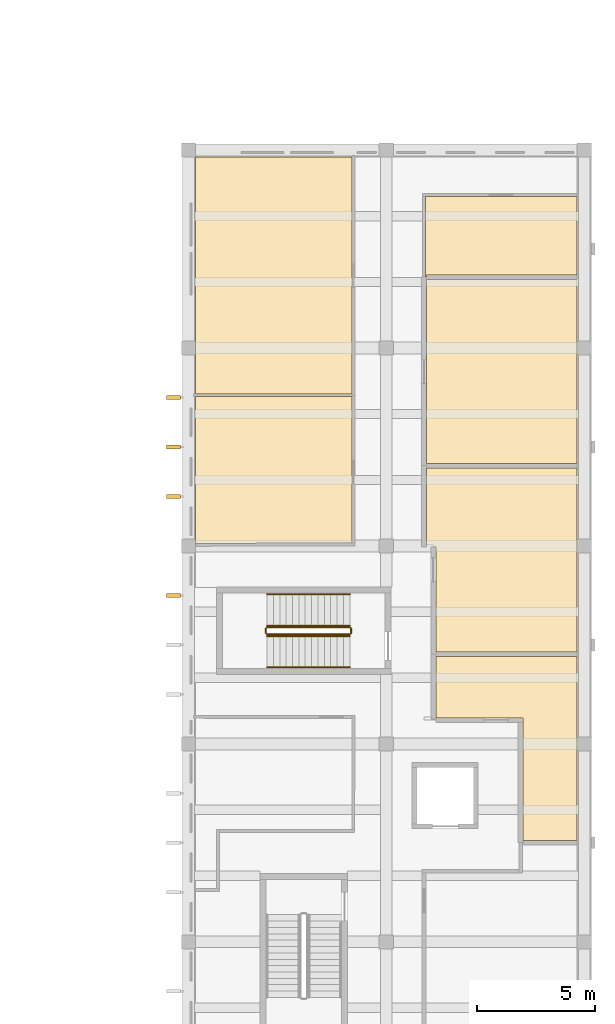
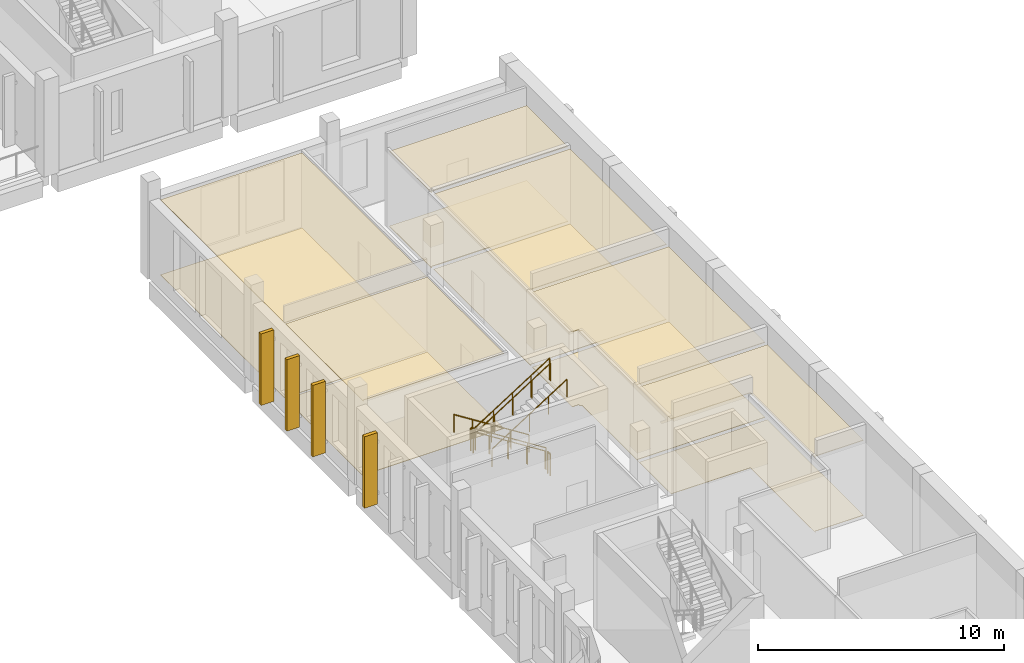
# One storey, part 86 of 103: 16 coverings, 8 railings.
"""IFC4 building model written with IfcOpenShell, lengths in metres."""

from ifc_helpers import new_model, si_unit, direction, frame, origin, origin_2d, place, context, subcontext, project, spatial, polyline, circle, outline, extrude, material, layer, layer_set, type_object, element, save


model = new_model("IFC4")

# Units and contexts
model_context = context("Model", 3, precision=1e-05, world=origin(), true_north=direction((0.0, 1.0)))
body_context = subcontext(model_context, "Body", "Model", "MODEL_VIEW")
ifc_project = project(units=[si_unit("LENGTHUNIT", "METRE"), si_unit("AREAUNIT", "SQUARE_METRE"), si_unit("VOLUMEUNIT", "CUBIC_METRE"), si_unit("PLANEANGLEUNIT", "RADIAN"), si_unit("MASSUNIT", "GRAM", prefix="KILO")], contexts=[model_context])

# Site, building, storey
site_placement = place(None, origin())
site = spatial("IfcSite", under=ifc_project, at=site_placement, CompositionType="ELEMENT")
building_placement = place(site_placement, origin())
building = spatial("IfcBuilding", under=site, at=building_placement, Name="Larchfold Concert Hall", CompositionType="ELEMENT")
storey_placement = place(building_placement, frame((0.0, 0.0, 9.60009765625)))
storey = spatial("IfcBuildingStorey", under=building, at=storey_placement, Name="L02", CompositionType="ELEMENT", Elevation=9.60009765625)

# Coverings
ifc_material_1 = material(Name="Mineral fibre ceiling tile")
ifc_layer_1 = layer(ifc_material_1, 0.02001953125)
ifc_layer_set_1 = layer_set([ifc_layer_1], Name="Mineral fibre ceiling tile")
covering_type_1 = type_object("IfcCoveringType", Name="Ceiling mineral fibre tile 20", PredefinedType="CEILING", material=ifc_layer_set_1)
covering_1_placement = place(storey_placement, frame((0.0, 0.0, 3.719970703125)))
element("IfcCovering", 1, at=covering_1_placement, inside=storey, type_object=covering_type_1, Name="Ceiling Accessible WC", PredefinedType="CEILING", context=body_context, shape_type="SweptSolid", body=[
    extrude(outline(polyline([(94.60009765625, 57.428466796875), (94.66259765625, 57.428466796875), (94.66259765625, 54.02001953125), (94.699951171875, 54.02001953125), (94.699951171875, 54.10009765625), (101.099853515625, 54.10009765625), (101.099853515625, 57.4375), (94.60009765625, 57.428466796875)])), origin(), (0.0, 0.0, 1.0), 0.02001953125),
])
ifc_material_2 = material(Name="Plasterboard ceiling lining")
ifc_layer_2 = layer(ifc_material_2, 0.030029296875)
ifc_layer_set_2 = layer_set([ifc_layer_2], Name="Plasterboard ceiling lining")
covering_type_2 = type_object("IfcCoveringType", Name="Ceiling suspended plasterboard 30", PredefinedType="CEILING", material=ifc_layer_set_2)
covering_2_placement = place(storey_placement, frame((0.0, 0.0, 3.7099609375)))
element("IfcCovering", 2, at=covering_2_placement, inside=storey, type_object=covering_type_2, Name="Ceiling Warm-up Room 01", PredefinedType="CEILING", context=body_context, shape_type="SweptSolid", body=[
    extrude(outline(polyline([(95.09912109375, 35.308837890625), (98.79931640625, 35.298828125), (98.799072265625, 30.02001953125), (98.77392578125, 30.02001953125), (98.77392578125, 30.0), (98.800048828125, 30.0), (98.800048828125, 30.10009765625), (101.099853515625, 30.10009765625), (101.099853515625, 37.89990234375), (95.10009765625, 37.89990234375), (95.09912109375, 38.0), (95.09912109375, 35.308837890625)])), origin(), (0.0, 0.0, 1.0), 0.030029296875),
])
covering_3_placement = place(storey_placement, frame((0.0, 0.0, 3.7099609375)))
element("IfcCovering", 3, at=covering_3_placement, inside=storey, type_object=covering_type_2, Name="Ceiling Warm-up Room 02", PredefinedType="CEILING", context=body_context, shape_type="SweptSolid", body=[
    extrude(outline(polyline([(94.699951171875, 46.0), (94.69921875, 42.650146484375), (95.0, 42.650146484375), (95.0, 42.549072265625), (95.09912109375, 42.549072265625), (95.09912109375, 38.0), (95.10009765625, 38.10009765625), (101.099853515625, 38.10009765625), (101.099853515625, 45.89990234375), (94.699951171875, 45.89990234375), (94.699951171875, 46.0)])), origin(), (0.0, 0.0, 1.0), 0.030029296875),
])
covering_4_placement = place(storey_placement, frame((0.0, 0.0, 3.7099609375)))
element("IfcCovering", 4, at=covering_4_placement, inside=storey, type_object=covering_type_2, Name="Ceiling Artists' Lounge", PredefinedType="CEILING", context=body_context, shape_type="SweptSolid", body=[
    extrude(outline(polyline([(91.534912109375, 49.0), (91.53759765625, 59.099853515625), (84.900146484375, 59.099853515625), (84.900146484375, 49.050048828125), (91.534912109375, 49.050048828125), (91.534912109375, 49.0)])), origin(), (0.0, 0.0, 1.0), 0.030029296875),
])
covering_5_placement = place(storey_placement, frame((0.0, 0.0, 3.7099609375)))
element("IfcCovering", 5, at=covering_5_placement, inside=storey, type_object=covering_type_2, Name="Ceiling Meeting Room", PredefinedType="CEILING", context=body_context, shape_type="SweptSolid", body=[
    extrude(outline(polyline([(91.53857421875, 49.0), (91.534912109375, 48.949951171875), (84.900146484375, 48.949951171875), (84.900146484375, 42.650146484375), (84.920166015625, 42.650146484375), (84.920166015625, 42.71142578125), (91.60009765625, 42.719482421875), (91.53857421875, 42.719482421875), (91.53857421875, 49.0)])), origin(), (0.0, 0.0, 1.0), 0.030029296875),
])
covering_6_placement = place(storey_placement, frame((0.0, 0.0, 3.7099609375)))
element("IfcCovering", 6, at=covering_6_placement, inside=storey, type_object=covering_type_2, Name="Ceiling Warm-up Room 03", PredefinedType="CEILING", context=body_context, shape_type="SweptSolid", body=[
    extrude(outline(polyline([(94.69921875, 46.0), (94.699951171875, 46.10009765625), (101.099853515625, 46.10009765625), (101.099853515625, 53.89990234375), (94.7001953125, 53.89990234375), (94.69921875, 46.0)])), origin(), (0.0, 0.0, 1.0), 0.030029296875),
])
ifc_material_3 = material(Name="Ceramic tile")
ifc_layer_3 = layer(ifc_material_3, 0.030029296875)
ifc_layer_set_3 = layer_set([ifc_layer_3], Name="Ceramic tile")
covering_type_3 = type_object("IfcCoveringType", Name="Floor finish ceramic tile 30", PredefinedType="FLOORING", material=ifc_layer_set_3)
covering_7_placement = place(storey_placement, origin())
element("IfcCovering", 7, at=covering_7_placement, inside=storey, type_object=covering_type_3, Name="Floor finish Accessible WC", PredefinedType="FLOORING", context=body_context, shape_type="SweptSolid", body=[
    extrude(outline(polyline([(94.60009765625, 57.428466796875), (94.66259765625, 57.428466796875), (94.66259765625, 54.02001953125), (94.699951171875, 54.02001953125), (94.699951171875, 54.10009765625), (101.099853515625, 54.10009765625), (101.099853515625, 57.4375), (94.60009765625, 57.428466796875)])), origin(), (0.0, 0.0, 1.0), 0.030029296875),
])
ifc_material_4 = material(Name="Linoleum sheet")
ifc_layer_4 = layer(ifc_material_4, 0.02001953125)
ifc_layer_set_4 = layer_set([ifc_layer_4], Name="Linoleum sheet")
covering_type_4 = type_object("IfcCoveringType", Name="Floor finish vinyl 20", PredefinedType="FLOORING", material=ifc_layer_set_4)
covering_8_placement = place(storey_placement, origin())
element("IfcCovering", 8, at=covering_8_placement, inside=storey, type_object=covering_type_4, Name="Floor finish Warm-up Room 01", PredefinedType="FLOORING", context=body_context, shape_type="SweptSolid", body=[
    extrude(outline(polyline([(95.09912109375, 35.308837890625), (98.79931640625, 35.298828125), (98.799072265625, 30.02001953125), (98.77392578125, 30.02001953125), (98.77392578125, 30.0), (98.800048828125, 30.0), (98.800048828125, 30.10009765625), (101.099853515625, 30.10009765625), (101.099853515625, 37.89990234375), (95.10009765625, 37.89990234375), (95.09912109375, 38.0), (95.09912109375, 35.308837890625)])), origin(), (0.0, 0.0, 1.0), 0.02001953125),
])
covering_9_placement = place(storey_placement, origin())
element("IfcCovering", 9, at=covering_9_placement, inside=storey, type_object=covering_type_4, Name="Floor finish Warm-up Room 02", PredefinedType="FLOORING", context=body_context, shape_type="SweptSolid", body=[
    extrude(outline(polyline([(94.699951171875, 46.0), (94.69921875, 42.650146484375), (95.0, 42.650146484375), (95.0, 42.549072265625), (95.09912109375, 42.549072265625), (95.09912109375, 38.0), (95.10009765625, 38.10009765625), (101.099853515625, 38.10009765625), (101.099853515625, 45.89990234375), (94.699951171875, 45.89990234375), (94.699951171875, 46.0)])), origin(), (0.0, 0.0, 1.0), 0.02001953125),
])
covering_10_placement = place(storey_placement, origin())
element("IfcCovering", 10, at=covering_10_placement, inside=storey, type_object=covering_type_4, Name="Floor finish Artists' Lounge", PredefinedType="FLOORING", context=body_context, shape_type="SweptSolid", body=[
    extrude(outline(polyline([(91.534912109375, 49.0), (91.53759765625, 59.099853515625), (84.900146484375, 59.099853515625), (84.900146484375, 49.050048828125), (91.534912109375, 49.050048828125), (91.534912109375, 49.0)])), origin(), (0.0, 0.0, 1.0), 0.02001953125),
])
covering_11_placement = place(storey_placement, origin())
element("IfcCovering", 11, at=covering_11_placement, inside=storey, type_object=covering_type_4, Name="Floor finish Meeting Room", PredefinedType="FLOORING", context=body_context, shape_type="SweptSolid", body=[
    extrude(outline(polyline([(91.53857421875, 49.0), (91.534912109375, 48.949951171875), (84.900146484375, 48.949951171875), (84.900146484375, 42.650146484375), (84.920166015625, 42.650146484375), (84.920166015625, 42.71142578125), (91.60009765625, 42.719482421875), (91.53857421875, 42.719482421875), (91.53857421875, 49.0)])), origin(), (0.0, 0.0, 1.0), 0.02001953125),
])
covering_12_placement = place(storey_placement, origin())
element("IfcCovering", 12, at=covering_12_placement, inside=storey, type_object=covering_type_4, Name="Floor finish Warm-up Room 03", PredefinedType="FLOORING", context=body_context, shape_type="SweptSolid", body=[
    extrude(outline(polyline([(94.69921875, 46.0), (94.699951171875, 46.10009765625), (101.099853515625, 46.10009765625), (101.099853515625, 53.89990234375), (94.7001953125, 53.89990234375), (94.69921875, 46.0)])), origin(), (0.0, 0.0, 1.0), 0.02001953125),
])
ifc_material_5 = material(Name="Glulam GL30c", Category="wood")
ifc_layer_5 = layer(ifc_material_5, 0.159912109375)
ifc_layer_set_5 = layer_set([ifc_layer_5], Name="Glulam GL30c")
covering_type_5 = type_object("IfcCoveringType", Name="Glulam fin 160x600", PredefinedType="CLADDING", material=ifc_layer_set_5)
covering_13_placement = place(storey_placement, frame((0.0, 0.0, 0.199951171875)))
element("IfcCovering", 13, at=covering_13_placement, inside=storey, type_object=covering_type_5, Name="Glulam fin FN-L02-047", PredefinedType="CLADDING", context=body_context, shape_type="SweptSolid", body=[
    extrude(outline(polyline([(84.275146484375, 44.6201171875), (84.275146484375, 44.780029296875), (83.675048828125, 44.780029296875), (83.675048828125, 44.6201171875), (84.275146484375, 44.6201171875)])), origin(), (0.0, 0.0, 1.0), 3.5400390625),
])
covering_14_placement = place(storey_placement, frame((0.0, 0.0, 0.199951171875)))
element("IfcCovering", 14, at=covering_14_placement, inside=storey, type_object=covering_type_5, Name="Glulam fin FN-L02-048", PredefinedType="CLADDING", context=body_context, shape_type="SweptSolid", body=[
    extrude(outline(polyline([(84.275146484375, 46.719970703125), (84.275146484375, 46.8798828125), (83.675048828125, 46.8798828125), (83.675048828125, 46.719970703125), (84.275146484375, 46.719970703125)])), origin(), (0.0, 0.0, 1.0), 3.5400390625),
])
covering_15_placement = place(storey_placement, frame((0.0, 0.0, 0.199951171875)))
element("IfcCovering", 15, at=covering_15_placement, inside=storey, type_object=covering_type_5, Name="Glulam fin FN-L02-049", PredefinedType="CLADDING", context=body_context, shape_type="SweptSolid", body=[
    extrude(outline(polyline([(84.275146484375, 48.820068359375), (84.275146484375, 48.97998046875), (83.675048828125, 48.97998046875), (83.675048828125, 48.820068359375), (84.275146484375, 48.820068359375)])), origin(), (0.0, 0.0, 1.0), 3.5400390625),
])
covering_16_placement = place(storey_placement, frame((0.0, 0.0, 0.199951171875)))
element("IfcCovering", 16, at=covering_16_placement, inside=storey, type_object=covering_type_5, Name="Glulam fin FN-L02-052", PredefinedType="CLADDING", context=body_context, shape_type="SweptSolid", body=[
    extrude(outline(polyline([(84.275146484375, 40.419921875), (84.275146484375, 40.580078125), (83.675048828125, 40.580078125), (83.675048828125, 40.419921875), (84.275146484375, 40.419921875)])), origin(), (0.0, 0.0, 1.0), 3.5400390625),
])

# Railings
ifc_material_6 = material(Name="Stainless steel balustrade", Category="steel")
railing_type_1 = type_object("IfcRailingType", Name="Stair guard 1100", PredefinedType="GUARDRAIL", material=ifc_material_6)
railing_1_placement = place(storey_placement, frame((91.449951171875, 39.150146484375, 0.17138671875)))
element("IfcRailing", 17, at=railing_1_placement, inside=storey, type_object=railing_type_1, Name="Guard GR0060", PredefinedType="GUARDRAIL", context=body_context, shape_type="SweptSolid", body=[
    extrude(circle(Radius=0.02392578125, at=origin_2d()), frame((0.0, 0.0, 1.076171875), z_axis=(-0.844219563411, 0.0, 0.53599750816), x_axis=(0.0, -1.0, 0.0)), (0.0, 0.0, 1.0), 4.15771484375),
    extrude(circle(Radius=0.02099609375, at=origin_2d()), origin(), (0.0, 0.0, 1.0), 1.052001953125),
    extrude(circle(Radius=0.02099609375, at=origin_2d()), frame((-0.87744140625, 0.0, 0.55712890625)), (0.0, 0.0, 1.0), 1.052001953125),
    extrude(circle(Radius=0.02099609375, at=origin_2d()), frame((-1.7548828125, 0.0, 1.1142578125)), (0.0, 0.0, 1.0), 1.052001953125),
    extrude(circle(Radius=0.02099609375, at=origin_2d()), frame((-2.632568359375, 0.0, 1.67138671875)), (0.0, 0.0, 1.0), 1.052001953125),
    extrude(circle(Radius=0.02099609375, at=origin_2d()), frame((-3.510009765625, 0.0, 2.228515625)), (0.0, 0.0, 1.0), 1.052001953125),
])
railing_2_placement = place(storey_placement, frame((87.889892578125, 39.10009765625, 2.39990234375)))
element("IfcRailing", 18, at=railing_2_placement, inside=storey, type_object=railing_type_1, Name="Guard GR0061", PredefinedType="GUARDRAIL", context=body_context, shape_type="SweptSolid", body=[
    extrude(circle(Radius=0.02392578125, at=origin_2d()), frame((0.0, 0.0, 1.076171875), z_axis=(0.0, -1.0, 0.0), x_axis=(1.0, 0.0, 0.0)), (0.0, 0.0, 1.0), 0.199951171875),
    extrude(circle(Radius=0.02099609375, at=origin_2d()), origin(), (0.0, 0.0, 1.0), 1.052001953125),
    extrude(circle(Radius=0.02099609375, at=origin_2d()), frame((0.0, -0.199951171875, 0.0)), (0.0, 0.0, 1.0), 1.052001953125),
])
railing_3_placement = place(storey_placement, frame((87.93994140625, 38.85009765625, 2.5712890625)))
element("IfcRailing", 19, at=railing_3_placement, inside=storey, type_object=railing_type_1, Name="Guard GR0062", PredefinedType="GUARDRAIL", context=body_context, shape_type="SweptSolid", body=[
    extrude(circle(Radius=0.02392578125, at=origin_2d()), frame((0.0, 0.0, 1.076171875), z_axis=(0.844219563411, 0.0, 0.53599750816), x_axis=(0.0, 1.0, 0.0)), (0.0, 0.0, 1.0), 4.15771484375),
    extrude(circle(Radius=0.02099609375, at=origin_2d()), origin(), (0.0, 0.0, 1.0), 1.052001953125),
    extrude(circle(Radius=0.02099609375, at=origin_2d()), frame((0.87744140625, 0.0, 0.55712890625)), (0.0, 0.0, 1.0), 1.052001953125),
    extrude(circle(Radius=0.02099609375, at=origin_2d()), frame((1.7548828125, 0.0, 1.1142578125)), (0.0, 0.0, 1.0), 1.052001953125),
    extrude(circle(Radius=0.02099609375, at=origin_2d()), frame((2.632568359375, 0.0, 1.67138671875)), (0.0, 0.0, 1.0), 1.052001953125),
    extrude(circle(Radius=0.02099609375, at=origin_2d()), frame((3.510009765625, 0.0, 2.228515625)), (0.0, 0.0, 1.0), 1.052001953125),
])
railing_4_placement = place(storey_placement, frame((91.5, 39.10009765625, 0.0)))
element("IfcRailing", 20, at=railing_4_placement, inside=storey, type_object=railing_type_1, Name="Guard GR0063", PredefinedType="GUARDRAIL", context=body_context, shape_type="SweptSolid", body=[
    extrude(circle(Radius=0.02392578125, at=origin_2d()), frame((0.0, 0.0, 1.076171875), z_axis=(0.0, -1.0, 0.0), x_axis=(1.0, 0.0, 0.0)), (0.0, 0.0, 1.0), 0.199951171875),
    extrude(circle(Radius=0.02099609375, at=origin_2d()), origin(), (0.0, 0.0, 1.0), 1.052001953125),
    extrude(circle(Radius=0.02099609375, at=origin_2d()), frame((0.0, -0.199951171875, 0.0)), (0.0, 0.0, 1.0), 1.052001953125),
])
ifc_material_7 = material(Name="Stainless steel handrail", Category="steel")
railing_type_2 = type_object("IfcRailingType", Name="Stair handrail 900", PredefinedType="HANDRAIL", material=ifc_material_7)
railing_5_placement = place(storey_placement, frame((91.449951171875, 40.550048828125, 0.17138671875)))
element("IfcRailing", 21, at=railing_5_placement, inside=storey, type_object=railing_type_2, Name="Handrail HR0057", PredefinedType="HANDRAIL", context=body_context, shape_type="SweptSolid", body=[
    extrude(circle(Radius=0.02392578125, at=origin_2d()), frame((0.0, 0.0, 0.8759765625), z_axis=(-0.844219563411, 0.0, 0.53599750816), x_axis=(0.0, -1.0, 0.0)), (0.0, 0.0, 1.0), 4.15771484375),
    extrude(circle(Radius=0.02099609375, at=origin_2d()), origin(), (0.0, 0.0, 1.0), 0.851806640625),
    extrude(circle(Radius=0.02099609375, at=origin_2d()), frame((-0.87744140625, 0.0, 0.55712890625)), (0.0, 0.0, 1.0), 0.851806640625),
    extrude(circle(Radius=0.02099609375, at=origin_2d()), frame((-1.7548828125, 0.0, 1.1142578125)), (0.0, 0.0, 1.0), 0.851806640625),
    extrude(circle(Radius=0.02099609375, at=origin_2d()), frame((-2.632568359375, 0.0, 1.67138671875)), (0.0, 0.0, 1.0), 0.851806640625),
    extrude(circle(Radius=0.02099609375, at=origin_2d()), frame((-3.510009765625, 0.0, 2.228515625)), (0.0, 0.0, 1.0), 0.851806640625),
])
railing_6_placement = place(storey_placement, frame((87.93994140625, 37.4501953125, 2.5712890625)))
element("IfcRailing", 22, at=railing_6_placement, inside=storey, type_object=railing_type_2, Name="Handrail HR0058", PredefinedType="HANDRAIL", context=body_context, shape_type="SweptSolid", body=[
    extrude(circle(Radius=0.02392578125, at=origin_2d()), frame((0.0, 0.0, 0.8759765625), z_axis=(0.844219563411, 0.0, 0.53599750816), x_axis=(0.0, 1.0, 0.0)), (0.0, 0.0, 1.0), 4.15771484375),
    extrude(circle(Radius=0.02099609375, at=origin_2d()), origin(), (0.0, 0.0, 1.0), 0.851806640625),
    extrude(circle(Radius=0.02099609375, at=origin_2d()), frame((0.87744140625, 0.0, 0.55712890625)), (0.0, 0.0, 1.0), 0.851806640625),
    extrude(circle(Radius=0.02099609375, at=origin_2d()), frame((1.7548828125, 0.0, 1.1142578125)), (0.0, 0.0, 1.0), 0.851806640625),
    extrude(circle(Radius=0.02099609375, at=origin_2d()), frame((2.632568359375, 0.0, 1.67138671875)), (0.0, 0.0, 1.0), 0.851806640625),
    extrude(circle(Radius=0.02099609375, at=origin_2d()), frame((3.510009765625, 0.0, 2.228515625)), (0.0, 0.0, 1.0), 0.851806640625),
])
railing_7_placement = place(storey_placement, frame((91.449951171875, 39.22021484375, 0.17138671875)))
element("IfcRailing", 23, at=railing_7_placement, inside=storey, type_object=railing_type_2, Name="Handrail HR0059", PredefinedType="HANDRAIL", context=body_context, shape_type="SweptSolid", body=[
    extrude(circle(Radius=0.02392578125, at=origin_2d()), frame((0.0, 0.0, 0.8759765625), z_axis=(-0.844219563411, 0.0, 0.53599750816), x_axis=(0.0, -1.0, 0.0)), (0.0, 0.0, 1.0), 4.15771484375),
    extrude(circle(Radius=0.02099609375, at=origin_2d()), origin(), (0.0, 0.0, 1.0), 0.851806640625),
    extrude(circle(Radius=0.02099609375, at=origin_2d()), frame((-0.87744140625, 0.0, 0.55712890625)), (0.0, 0.0, 1.0), 0.851806640625),
    extrude(circle(Radius=0.02099609375, at=origin_2d()), frame((-1.7548828125, 0.0, 1.1142578125)), (0.0, 0.0, 1.0), 0.851806640625),
    extrude(circle(Radius=0.02099609375, at=origin_2d()), frame((-2.632568359375, 0.0, 1.67138671875)), (0.0, 0.0, 1.0), 0.851806640625),
    extrude(circle(Radius=0.02099609375, at=origin_2d()), frame((-3.510009765625, 0.0, 2.228515625)), (0.0, 0.0, 1.0), 0.851806640625),
])
railing_8_placement = place(storey_placement, frame((87.93994140625, 38.780029296875, 2.5712890625)))
element("IfcRailing", 24, at=railing_8_placement, inside=storey, type_object=railing_type_2, Name="Handrail HR0060", PredefinedType="HANDRAIL", context=body_context, shape_type="SweptSolid", body=[
    extrude(circle(Radius=0.02392578125, at=origin_2d()), frame((0.0, 0.0, 0.8759765625), z_axis=(0.844219563411, 0.0, 0.53599750816), x_axis=(0.0, 1.0, 0.0)), (0.0, 0.0, 1.0), 4.15771484375),
    extrude(circle(Radius=0.02099609375, at=origin_2d()), origin(), (0.0, 0.0, 1.0), 0.851806640625),
    extrude(circle(Radius=0.02099609375, at=origin_2d()), frame((0.87744140625, 0.0, 0.55712890625)), (0.0, 0.0, 1.0), 0.851806640625),
    extrude(circle(Radius=0.02099609375, at=origin_2d()), frame((1.7548828125, 0.0, 1.1142578125)), (0.0, 0.0, 1.0), 0.851806640625),
    extrude(circle(Radius=0.02099609375, at=origin_2d()), frame((2.632568359375, 0.0, 1.67138671875)), (0.0, 0.0, 1.0), 0.851806640625),
    extrude(circle(Radius=0.02099609375, at=origin_2d()), frame((3.510009765625, 0.0, 2.228515625)), (0.0, 0.0, 1.0), 0.851806640625),
])

save(model, "model.ifc")
